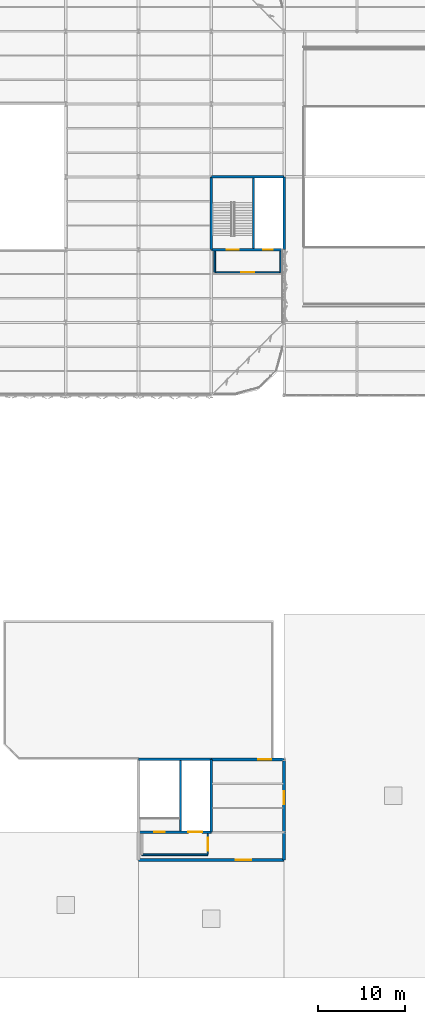
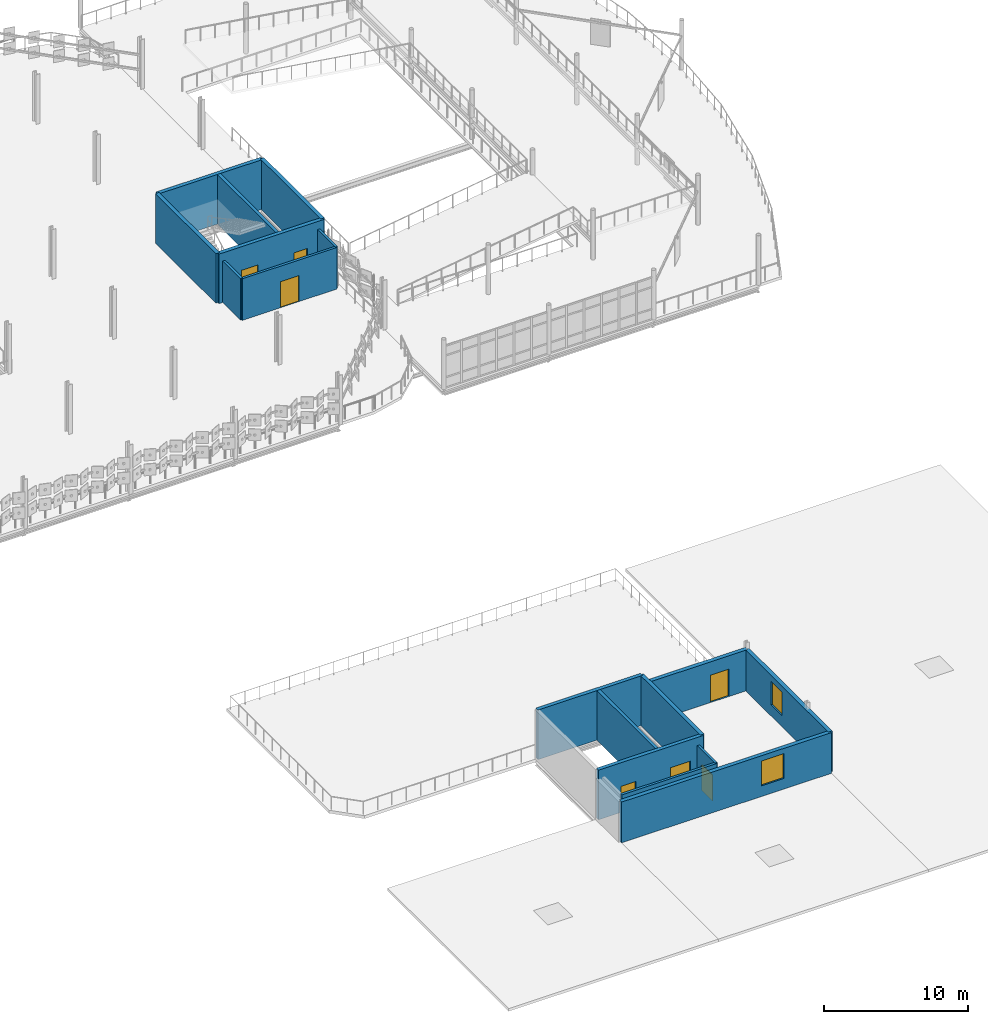
# One storey, part 50 of 69: 17 walls, 7 doors, 2 windows, 9 openings.
"""IFC4 building model written with IfcOpenShell, lengths in metres."""

from ifc_helpers import new_model, si_unit, direction, frame, frame_2d, origin, place, context, subcontext, project, spatial, rectangle, extrude, material, layer, layer_set, type_object, element, fill, save


model = new_model("IFC4")

# Units and contexts
model_context = context("Model", 3, precision=1e-05, world=origin(), true_north=direction((0.0, 1.0)))
body_context = subcontext(model_context, "Body", "Model", "MODEL_VIEW")
ifc_project = project(units=[si_unit("LENGTHUNIT", "METRE"), si_unit("AREAUNIT", "SQUARE_METRE"), si_unit("VOLUMEUNIT", "CUBIC_METRE"), si_unit("PLANEANGLEUNIT", "RADIAN"), si_unit("MASSUNIT", "GRAM", prefix="KILO")], contexts=[model_context])

# Site, building, storey
site_placement = place(None, origin())
site = spatial("IfcSite", under=ifc_project, at=site_placement, CompositionType="ELEMENT")
building_placement = place(site_placement, origin())
building = spatial("IfcBuilding", under=site, at=building_placement, Name="Qalvenar Corner Mobility Hub", CompositionType="ELEMENT")
storey_placement = place(building_placement, frame((0.0, 0.0, 13.199951171875)))
storey = spatial("IfcBuildingStorey", under=building, at=storey_placement, Name="L03", CompositionType="ELEMENT", Elevation=13.199951171875)

# Walls
ifc_material_1 = material(Name="Concrete C40/50", Category="concrete")
ifc_layer_1 = layer(ifc_material_1, 0.25)
ifc_layer_set_1 = layer_set([ifc_layer_1], Name="Concrete C40/50")
wall_type_1 = type_object("IfcWallType", Name="WL-CORE250", PredefinedType="SHEAR", material=ifc_layer_set_1)
for number, where, z_axis, x_axis, name in (
    (1, (139.25, 84.14990234375, 0.0), (0.0, 0.0, 1.0), (0.0, 1.0, 0.0), "Core Divider Wall C4-L03"),
    (2, (130.85009765625, 16.949951171875, 0.0), (0.0, 0.0, 1.0), (0.0, 1.0, 0.0), "Core Divider Wall C6-L03"),
):
    element("IfcWall", number, at=place(storey_placement, frame(where, z_axis=z_axis, x_axis=x_axis)), inside=storey, type_object=wall_type_1, Name=name, PredefinedType="SHEAR", context=body_context, shape_type="SweptSolid", body=[
        extrude(rectangle(XDim=8.10009765625, YDim=0.25, at=frame_2d((4.050048828125, 0.0))), origin(), (0.0, 0.0, 1.0), 4.199951171875),
    ])

# Wall, openings, doors
ifc_layer_2 = layer(ifc_material_1, 0.300048828125)
ifc_layer_set_2 = layer_set([ifc_layer_2], Name="Concrete C40/50")
wall_type_2 = type_object("IfcWallType", Name="WL-CORE300", PredefinedType="SHEAR", material=ifc_layer_set_2)
wall_1_placement = place(storey_placement, frame((134.39990234375, 84.0, 0.0), z_axis=(0.0, 0.0, 1.0), x_axis=(1.0, 0.0, 0.0)))
wall_1 = element("IfcWall", 3, at=wall_1_placement, inside=storey, type_object=wall_type_2, Name="Core Shear Wall C4-L03-S", PredefinedType="SHEAR", context=body_context, shape_type="SweptSolid", body=[
    extrude(rectangle(XDim=8.400146484375, YDim=0.300048828125, at=frame_2d((4.2001953125, 0.0))), origin(), (0.0, 0.0, 1.0), 4.199951171875),
])
opening_1_placement = place(wall_1_placement, frame((1.800048828125, 0.0, 0.0)))
opening_1 = element("IfcOpeningElement", 4, at=opening_1_placement, cuts=wall_1, Name="Opening DR-211", PredefinedType="OPENING", context=body_context, shape_type="SweptSolid", body=[
    extrude(rectangle(XDim=1.35009765625, YDim=2.199951171875, at=frame_2d((0.675048828125, 1.10009765625))), frame((0.0, 0.16015625, 0.0), z_axis=(0.0, -1.0, 0.0), x_axis=(1.0, 0.0, 0.0)), (0.0, 0.0, 1.0), 0.320068359375),
])
opening_2_placement = place(wall_1_placement, frame((6.0, 0.0, 0.0)))
opening_2 = element("IfcOpeningElement", 5, at=opening_2_placement, cuts=wall_1, Name="Opening DR-212", PredefinedType="OPENING", context=body_context, shape_type="SweptSolid", body=[
    extrude(rectangle(XDim=1.10009765625, YDim=2.199951171875, at=frame_2d((0.550048828125, 1.10009765625))), frame((0.0, 0.16015625, 0.0), z_axis=(0.0, -1.0, 0.0), x_axis=(1.0, 0.0, 0.0)), (0.0, 0.0, 1.0), 0.320068359375),
])
ifc_material_2 = material(Name="Stainless Steel Lift Landing Door", Category="steel")
door_type_1 = type_object("IfcDoorType", Name="DR-LIFT-110", OperationType="SLIDING_TO_LEFT", PredefinedType="DOOR", material=ifc_material_2)
door_1_placement = place(opening_2_placement, origin())
door_1 = element("IfcDoor", 6, at=door_1_placement, inside=storey, type_object=door_type_1, Name="DR-212 Lift Landing Door LP4-L03", OperationType="SLIDING_TO_LEFT", OverallHeight=2.199951171875, OverallWidth=1.10009765625, PredefinedType="DOOR", context=body_context, shape_type="SweptSolid", body=[
    extrude(rectangle(XDim=1.10009765625, YDim=2.199951171875, at=frame_2d((0.550048828125, 1.10009765625))), frame((0.0, 0.02490234375, 0.0), z_axis=(0.0, -1.0, 0.0), x_axis=(1.0, 0.0, 0.0)), (0.0, 0.0, 1.0), 0.050048828125),
])
fill(opening_2, door_1)
ifc_material_3 = material(Name="Fire-Rated Steel Stair Door FD90", Category="steel")
door_type_2 = type_object("IfcDoorType", Name="DR-STAIR-135", OperationType="NOTDEFINED", PredefinedType="DOOR", material=ifc_material_3)
door_2_placement = place(opening_1_placement, origin())
door_2 = element("IfcDoor", 7, at=door_2_placement, inside=storey, type_object=door_type_2, Name="DR-211 Stair Fire Door ST4-L03", OperationType="SINGLE_SWING_LEFT", OverallHeight=2.199951171875, OverallWidth=1.35009765625, PredefinedType="DOOR", context=body_context, shape_type="SweptSolid", body=[
    extrude(rectangle(XDim=1.35009765625, YDim=2.199951171875, at=frame_2d((0.675048828125, 1.10009765625))), frame((0.0, 0.02490234375, 0.0), z_axis=(0.0, -1.0, 0.0), x_axis=(1.0, 0.0, 0.0)), (0.0, 0.0, 1.0), 0.050048828125),
])
fill(opening_1, door_2)

# Walls
wall_2_placement = place(storey_placement, frame((142.800048828125, 84.0, 0.0), z_axis=(0.0, 0.0, 1.0), x_axis=(0.0, 1.0, 0.0)))
element("IfcWall", 8, at=wall_2_placement, inside=storey, type_object=wall_type_2, Name="Core Shear Wall C4-L03-E", PredefinedType="SHEAR", context=body_context, shape_type="SweptSolid", body=[
    extrude(rectangle(XDim=8.39990234375, YDim=0.300048828125, at=frame_2d((4.199951171875, 0.0))), origin(), (0.0, 0.0, 1.0), 4.199951171875),
])
wall_3_placement = place(storey_placement, frame((142.800048828125, 92.39990234375, 0.0), z_axis=(0.0, 0.0, 1.0), x_axis=(-1.0, 0.0, 0.0)))
element("IfcWall", 9, at=wall_3_placement, inside=storey, type_object=wall_type_2, Name="Core Shear Wall C4-L03-N", PredefinedType="SHEAR", context=body_context, shape_type="SweptSolid", body=[
    extrude(rectangle(XDim=8.400146484375, YDim=0.300048828125, at=frame_2d((4.2001953125, 0.0))), origin(), (0.0, 0.0, 1.0), 4.199951171875),
])
wall_4_placement = place(storey_placement, frame((134.39990234375, 92.39990234375, 0.0), z_axis=(0.0, 0.0, 1.0), x_axis=(0.0, -1.0, 0.0)))
element("IfcWall", 10, at=wall_4_placement, inside=storey, type_object=wall_type_2, Name="Core Shear Wall C4-L03-W", PredefinedType="SHEAR", context=body_context, shape_type="SweptSolid", body=[
    extrude(rectangle(XDim=8.39990234375, YDim=0.300048828125, at=frame_2d((4.199951171875, 0.0))), origin(), (0.0, 0.0, 1.0), 4.199951171875),
])

# Wall, openings, doors
wall_5_placement = place(storey_placement, frame((126.0, 16.800048828125, 0.0), z_axis=(0.0, 0.0, 1.0), x_axis=(1.0, 0.0, 0.0)))
wall_5 = element("IfcWall", 11, at=wall_5_placement, inside=storey, type_object=wall_type_2, Name="Core Shear Wall C6-L03-S", PredefinedType="SHEAR", context=body_context, shape_type="SweptSolid", body=[
    extrude(rectangle(XDim=8.39990234375, YDim=0.300048828125, at=frame_2d((4.199951171875, 0.0))), origin(), (0.0, 0.0, 1.0), 4.199951171875),
])
opening_3_placement = place(wall_5_placement, frame((1.800048828125, 0.0, 0.0)))
opening_3 = element("IfcOpeningElement", 12, at=opening_3_placement, cuts=wall_5, Name="Opening DR-214", PredefinedType="OPENING", context=body_context, shape_type="SweptSolid", body=[
    extrude(rectangle(XDim=1.199951171875, YDim=2.199951171875, at=frame_2d((0.60009765625, 1.10009765625))), frame((0.0, 0.16015625, 0.0), z_axis=(0.0, -1.0, 0.0), x_axis=(1.0, 0.0, 0.0)), (0.0, 0.0, 1.0), 0.320068359375),
])
opening_4_placement = place(wall_5_placement, frame((5.75, 0.0, 0.0)))
opening_4 = element("IfcOpeningElement", 13, at=opening_4_placement, cuts=wall_5, Name="Opening DR-215", PredefinedType="OPENING", context=body_context, shape_type="SweptSolid", body=[
    extrude(rectangle(XDim=1.60009765625, YDim=2.39990234375, at=frame_2d((0.800048828125, 1.199951171875))), frame((0.0, 0.16015625, 0.0), z_axis=(0.0, -1.0, 0.0), x_axis=(1.0, 0.0, 0.0)), (0.0, 0.0, 1.0), 0.320068359375),
])
ifc_material_4 = material(Name="Stainless Steel Goods Lift Landing Door", Category="steel")
door_type_3 = type_object("IfcDoorType", Name="DR-LIFT-160", OperationType="SLIDING_TO_LEFT", PredefinedType="DOOR", material=ifc_material_4)
door_3_placement = place(opening_4_placement, origin())
door_3 = element("IfcDoor", 14, at=door_3_placement, inside=storey, type_object=door_type_3, Name="DR-215 Lift Landing Door LG2-L03", OperationType="SLIDING_TO_LEFT", OverallHeight=2.39990234375, OverallWidth=1.60009765625, PredefinedType="DOOR", context=body_context, shape_type="SweptSolid", body=[
    extrude(rectangle(XDim=1.60009765625, YDim=2.39990234375, at=frame_2d((0.800048828125, 1.199951171875))), frame((0.0, 0.02490234375, 0.0), z_axis=(0.0, -1.0, 0.0), x_axis=(1.0, 0.0, 0.0)), (0.0, 0.0, 1.0), 0.050048828125),
])
fill(opening_4, door_3)
door_type_4 = type_object("IfcDoorType", Name="DR-STAIR-120", OperationType="NOTDEFINED", PredefinedType="DOOR", material=ifc_material_3)
door_4_placement = place(opening_3_placement, origin())
door_4 = element("IfcDoor", 15, at=door_4_placement, inside=storey, type_object=door_type_4, Name="DR-214 Stair Fire Door ST6-L03", OperationType="SINGLE_SWING_LEFT", OverallHeight=2.199951171875, OverallWidth=1.199951171875, PredefinedType="DOOR", context=body_context, shape_type="SweptSolid", body=[
    extrude(rectangle(XDim=1.199951171875, YDim=2.199951171875, at=frame_2d((0.60009765625, 1.10009765625))), frame((0.0, 0.02490234375, 0.0), z_axis=(0.0, -1.0, 0.0), x_axis=(1.0, 0.0, 0.0)), (0.0, 0.0, 1.0), 0.050048828125),
])
fill(opening_3, door_4)

# Walls
for number, where, z_axis, x_axis, name in (
    (16, (134.39990234375, 16.800048828125, 0.0), (0.0, 0.0, 1.0), (0.0, 1.0, 0.0), "Core Shear Wall C6-L03-E"),
    (17, (134.39990234375, 25.199951171875, 0.0), (0.0, 0.0, 1.0), (-1.0, 0.0, 0.0), "Core Shear Wall C6-L03-N"),
):
    element("IfcWall", number, at=place(storey_placement, frame(where, z_axis=z_axis, x_axis=x_axis)), inside=storey, type_object=wall_type_2, Name=name, PredefinedType="SHEAR", context=body_context, shape_type="SweptSolid", body=[
        extrude(rectangle(XDim=8.39990234375, YDim=0.300048828125, at=frame_2d((4.199951171875, 0.0))), origin(), (0.0, 0.0, 1.0), 4.199951171875),
    ])

# Wall, opening, window
ifc_material_5 = material(Name="Red Sandstone Ashlar Masonry", Category="masonry")
ifc_layer_3 = layer(ifc_material_5, 0.320068359375)
ifc_layer_set_3 = layer_set([ifc_layer_3], Name="Red Sandstone Ashlar Masonry")
wall_type_3 = type_object("IfcWallType", Name="WL-EXT-SAND320", PredefinedType="STANDARD", material=ifc_layer_set_3)
wall_6_placement = place(storey_placement, frame((126.0, 13.60009765625, 0.0), z_axis=(0.0, 0.0, 1.0), x_axis=(1.0, 0.0, 0.0)))
wall_6 = element("IfcWall", 18, at=wall_6_placement, inside=storey, type_object=wall_type_3, Name="Exterior Facade Wall EW-V6-BOT-S", PredefinedType="STANDARD", context=body_context, shape_type="SweptSolid", body=[
    extrude(rectangle(XDim=16.800048828125, YDim=0.320068359375, at=frame_2d((8.39990234375, 0.0))), origin(), (0.0, 0.0, 1.0), 3.449951171875),
])
opening_5_placement = place(wall_6_placement, frame((11.199951171875, 0.0, 0.89990234375)))
opening_5 = element("IfcOpeningElement", 19, at=opening_5_placement, cuts=wall_6, Name="Opening W-43", PredefinedType="OPENING", context=body_context, shape_type="SweptSolid", body=[
    extrude(rectangle(XDim=1.800048828125, YDim=2.10009765625, at=frame_2d((0.89990234375, 1.050048828125))), frame((0.0, 0.169921875, 0.0), z_axis=(0.0, -1.0, 0.0), x_axis=(1.0, 0.0, 0.0)), (0.0, 0.0, 1.0), 0.340087890625),
])
ifc_material_6 = material(Name="Solar-Control Double-Glazed Bronze Window", Category="glass")
window_type_1 = type_object("IfcWindowType", Name="WN-BOT-180X210", PartitioningType="DOUBLE_PANEL_VERTICAL", PredefinedType="WINDOW", material=ifc_material_6)
window_1_placement = place(opening_5_placement, origin())
window_1 = element("IfcWindow", 20, at=window_1_placement, inside=storey, type_object=window_type_1, Name="Facade Window EW-V6-BOT-S-W1", OverallHeight=2.10009765625, OverallWidth=1.800048828125, PartitioningType="SINGLE_PANEL", PredefinedType="WINDOW", context=body_context, shape_type="SweptSolid", body=[
    extrude(rectangle(XDim=1.800048828125, YDim=2.10009765625, at=frame_2d((0.89990234375, 1.050048828125))), frame((0.0, 0.030029296875, 0.0), z_axis=(0.0, -1.0, 0.0), x_axis=(1.0, 0.0, 0.0)), (0.0, 0.0, 1.0), 0.06005859375),
])
fill(opening_5, window_1)

wall_7_placement = place(storey_placement, frame((142.800048828125, 13.60009765625, 0.0), z_axis=(0.0, 0.0, 1.0), x_axis=(0.0, 1.0, 0.0)))
wall_7 = element("IfcWall", 21, at=wall_7_placement, inside=storey, type_object=wall_type_3, Name="Exterior Facade Wall EW-V6-BOT-E", PredefinedType="STANDARD", context=body_context, shape_type="SweptSolid", body=[
    extrude(rectangle(XDim=11.599853515625, YDim=0.320068359375, at=frame_2d((5.7998046875, 0.0))), origin(), (0.0, 0.0, 1.0), 3.449951171875),
])
opening_6_placement = place(wall_7_placement, frame((6.449951171875, 0.0, 0.949951171875)))
opening_6 = element("IfcOpeningElement", 22, at=opening_6_placement, cuts=wall_7, Name="Opening W-44", PredefinedType="OPENING", context=body_context, shape_type="SweptSolid", body=[
    extrude(rectangle(XDim=1.5, YDim=2.0, at=frame_2d((0.75, 1.0))), frame((0.0, 0.169921875, 0.0), z_axis=(0.0, -1.0, 0.0), x_axis=(1.0, 0.0, 0.0)), (0.0, 0.0, 1.0), 0.340087890625),
])
window_type_2 = type_object("IfcWindowType", Name="WN-BOT-150X200", PartitioningType="SINGLE_PANEL", PredefinedType="WINDOW", material=ifc_material_6)
window_2_placement = place(opening_6_placement, origin())
window_2 = element("IfcWindow", 23, at=window_2_placement, inside=storey, type_object=window_type_2, Name="Facade Window EW-V6-BOT-E-W1", OverallHeight=2.0, OverallWidth=1.5, PartitioningType="SINGLE_PANEL", PredefinedType="WINDOW", context=body_context, shape_type="SweptSolid", body=[
    extrude(rectangle(XDim=1.5, YDim=2.0, at=frame_2d((0.75, 1.0))), frame((0.0, 0.030029296875, 0.0), z_axis=(0.0, -1.0, 0.0), x_axis=(1.0, 0.0, 0.0)), (0.0, 0.0, 1.0), 0.06005859375),
])
fill(opening_6, window_2)

# Wall, opening, door
wall_8_placement = place(storey_placement, frame((142.800048828125, 25.199951171875, 0.0), z_axis=(0.0, 0.0, 1.0), x_axis=(-1.0, 0.0, 0.0)))
wall_8 = element("IfcWall", 24, at=wall_8_placement, inside=storey, type_object=wall_type_3, Name="Exterior Facade Wall EW-V6-BOT-N", PredefinedType="STANDARD", context=body_context, shape_type="SweptSolid", body=[
    extrude(rectangle(XDim=8.400146484375, YDim=0.320068359375, at=frame_2d((4.2001953125, 0.0))), origin(), (0.0, 0.0, 1.0), 3.449951171875),
])
opening_7_placement = place(wall_8_placement, frame((1.5, 0.0, 0.0)))
opening_7 = element("IfcOpeningElement", 25, at=opening_7_placement, cuts=wall_8, Name="Opening DR-199", PredefinedType="OPENING", context=body_context, shape_type="SweptSolid", body=[
    extrude(rectangle(XDim=1.47998046875, YDim=2.320068359375, at=frame_2d((0.739990234375, 1.16015625))), frame((0.0, 0.169921875, 0.0), z_axis=(0.0, -1.0, 0.0), x_axis=(1.0, 0.0, 0.0)), (0.0, 0.0, 1.0), 0.340087890625),
])
ifc_material_7 = material(Name="Glazed Botanical Terrace Door", Category="aluminium")
door_type_5 = type_object("IfcDoorType", Name="DR-EXT-TER148", OperationType="DOUBLE_DOOR_SINGLE_SWING", PredefinedType="DOOR", material=ifc_material_7)
door_5_placement = place(opening_7_placement, origin())
door_5 = element("IfcDoor", 26, at=door_5_placement, inside=storey, type_object=door_type_5, Name="DR-199 Green Roof Botanical Terrace Door L03", OperationType="DOUBLE_DOOR_SINGLE_SWING", OverallHeight=2.320068359375, OverallWidth=1.47998046875, PredefinedType="DOOR", context=body_context, shape_type="SweptSolid", body=[
    extrude(rectangle(XDim=1.47998046875, YDim=2.320068359375, at=frame_2d((0.739990234375, 1.16015625))), frame((0.0, 0.02490234375, 0.0), z_axis=(0.0, -1.0, 0.0), x_axis=(1.0, 0.0, 0.0)), (0.0, 0.0, 1.0), 0.050048828125),
])
fill(opening_7, door_5)

# Walls
ifc_material_8 = material(Name="Concrete Blockwork Masonry", Category="masonry")
ifc_layer_4 = layer(ifc_material_8, 0.199951171875)
ifc_layer_set_4 = layer_set([ifc_layer_4], Name="Concrete Blockwork Masonry")
wall_type_4 = type_object("IfcWallType", Name="WL-LOBBY200", PredefinedType="PARTITIONING", material=ifc_layer_set_4)
for number, where, z_axis, x_axis, name in (
    (27, (134.800048828125, 81.39990234375, 0.0), (0.0, 0.0, 1.0), (0.0, 1.0, 0.0), "Interior Partition WL-LOB-C4-L03-W"),
    (28, (142.39990234375, 81.39990234375, 0.0), (0.0, 0.0, 1.0), (0.0, 1.0, 0.0), "Interior Partition WL-LOB-C4-L03-E"),
):
    element("IfcWall", number, at=place(storey_placement, frame(where, z_axis=z_axis, x_axis=x_axis)), inside=storey, type_object=wall_type_4, Name=name, PredefinedType="PARTITIONING", context=body_context, shape_type="SweptSolid", body=[
        extrude(rectangle(XDim=2.4501953125, YDim=0.199951171875, at=frame_2d((1.22509765625, 0.0))), origin(), (0.0, 0.0, 1.0), 3.52001953125),
    ])

# Wall, opening, door
wall_9_placement = place(storey_placement, frame((134.800048828125, 81.39990234375, 0.0), z_axis=(0.0, 0.0, 1.0), x_axis=(1.0, 0.0, 0.0)))
wall_9 = element("IfcWall", 29, at=wall_9_placement, inside=storey, type_object=wall_type_4, Name="Interior Partition WL-LOB-C4-L03-S", PredefinedType="PARTITIONING", context=body_context, shape_type="SweptSolid", body=[
    extrude(rectangle(XDim=7.599853515625, YDim=0.199951171875, at=frame_2d((3.7998046875, 0.0))), origin(), (0.0, 0.0, 1.0), 3.52001953125),
])
opening_8_placement = place(wall_9_placement, frame((3.050048828125, 0.0, 0.0)))
opening_8 = element("IfcOpeningElement", 30, at=opening_8_placement, cuts=wall_9, Name="Opening DR-213", PredefinedType="OPENING", context=body_context, shape_type="SweptSolid", body=[
    extrude(rectangle(XDim=1.5, YDim=2.199951171875, at=frame_2d((0.75, 1.10009765625))), frame((0.0, 0.10986328125, 0.0), z_axis=(0.0, -1.0, 0.0), x_axis=(1.0, 0.0, 0.0)), (0.0, 0.0, 1.0), 0.219970703125),
])
ifc_material_9 = material(Name="Firefighting Lobby Smoke-Control Door FD60", Category="steel")
door_type_6 = type_object("IfcDoorType", Name="DR-FFLOB-150", OperationType="DOUBLE_DOOR_SINGLE_SWING", PredefinedType="DOOR", material=ifc_material_9)
door_6_placement = place(opening_8_placement, origin())
door_6 = element("IfcDoor", 31, at=door_6_placement, inside=storey, type_object=door_type_6, Name="DR-213 Lift Lobby Smoke Door C4-L03", OperationType="DOUBLE_DOOR_SINGLE_SWING", OverallHeight=2.199951171875, OverallWidth=1.5, PredefinedType="DOOR", context=body_context, shape_type="SweptSolid", body=[
    extrude(rectangle(XDim=1.5, YDim=2.199951171875, at=frame_2d((0.75, 1.10009765625))), frame((0.0, 0.02490234375, 0.0), z_axis=(0.0, -1.0, 0.0), x_axis=(1.0, 0.0, 0.0)), (0.0, 0.0, 1.0), 0.050048828125),
])
fill(opening_8, door_6)

wall_10_placement = place(storey_placement, frame((134.0, 14.199951171875, 0.0), z_axis=(0.0, 0.0, 1.0), x_axis=(0.0, 1.0, 0.0)))
wall_10 = element("IfcWall", 32, at=wall_10_placement, inside=storey, type_object=wall_type_4, Name="Interior Partition WL-LOB-C6-L03-E", PredefinedType="PARTITIONING", context=body_context, shape_type="SweptSolid", body=[
    extrude(rectangle(XDim=2.449951171875, YDim=0.199951171875, at=frame_2d((1.22509765625, 0.0))), origin(), (0.0, 0.0, 1.0), 3.52001953125),
])
opening_9_placement = place(wall_10_placement, frame((0.449951171875, 0.0, 0.0)))
opening_9 = element("IfcOpeningElement", 33, at=opening_9_placement, cuts=wall_10, Name="Opening DR-216", PredefinedType="OPENING", context=body_context, shape_type="SweptSolid", body=[
    extrude(rectangle(XDim=1.5, YDim=2.199951171875, at=frame_2d((0.75, 1.10009765625))), frame((0.0, 0.10986328125, 0.0), z_axis=(0.0, -1.0, 0.0), x_axis=(1.0, 0.0, 0.0)), (0.0, 0.0, 1.0), 0.219970703125),
])
door_7_placement = place(opening_9_placement, origin())
door_7 = element("IfcDoor", 34, at=door_7_placement, inside=storey, type_object=door_type_6, Name="DR-216 Lift Lobby Smoke Door C6-L03", OperationType="DOUBLE_DOOR_SINGLE_SWING", OverallHeight=2.199951171875, OverallWidth=1.5, PredefinedType="DOOR", context=body_context, shape_type="SweptSolid", body=[
    extrude(rectangle(XDim=1.5, YDim=2.199951171875, at=frame_2d((0.75, 1.10009765625))), frame((0.0, 0.02490234375, 0.0), z_axis=(0.0, -1.0, 0.0), x_axis=(1.0, 0.0, 0.0)), (0.0, 0.0, 1.0), 0.050048828125),
])
fill(opening_9, door_7)

# Wall
wall_11_placement = place(storey_placement, frame((126.39990234375, 14.199951171875, 0.0), z_axis=(0.0, 0.0, 1.0), x_axis=(1.0, 0.0, 0.0)))
element("IfcWall", 35, at=wall_11_placement, inside=storey, type_object=wall_type_4, Name="Interior Partition WL-LOB-C6-L03-S", PredefinedType="PARTITIONING", context=body_context, shape_type="SweptSolid", body=[
    extrude(rectangle(XDim=7.60009765625, YDim=0.199951171875, at=frame_2d((3.800048828125, 0.0))), origin(), (0.0, 0.0, 1.0), 3.52001953125),
])

save(model, "model.ifc")
